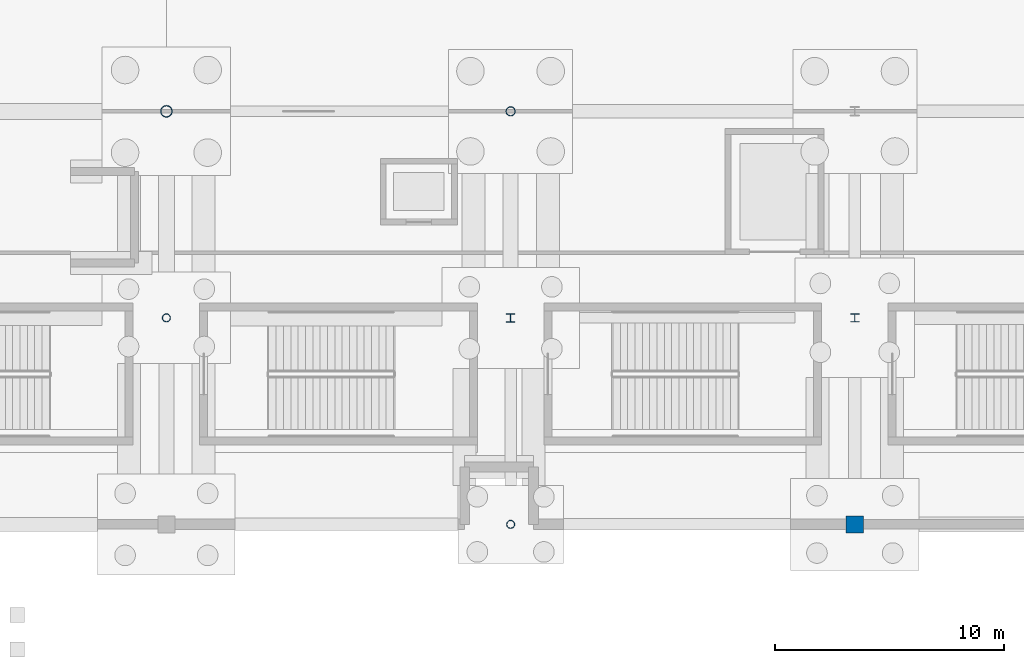
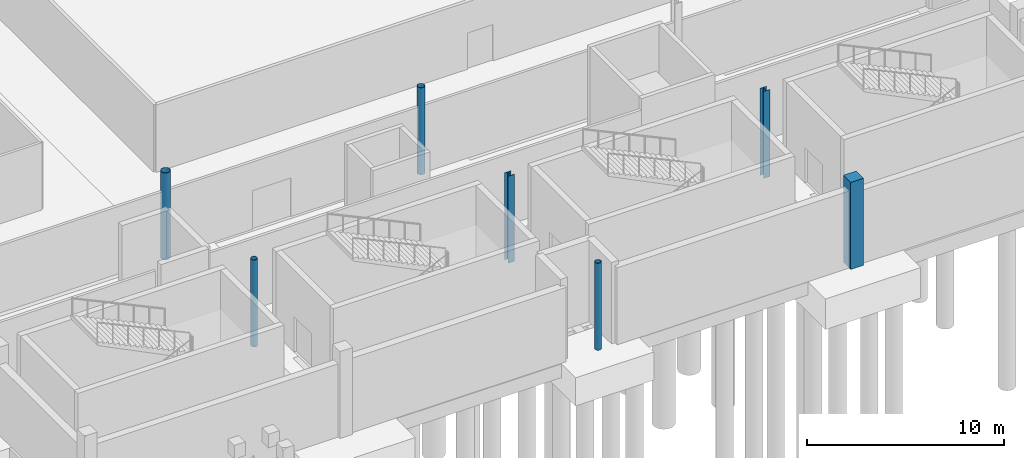
# One storey, part 16 of 58: 7 columns.
"""IFC4 building model written with IfcOpenShell, lengths in metres."""

from ifc_helpers import new_model, si_unit, direction, frame, origin, origin_2d, place, context, subcontext, project, spatial, rectangle, hollow_circle, i_section, extrude, material, material_profile, profile_set, type_object, element, save


model = new_model("IFC4")

# Units and contexts
model_context = context("Model", 3, precision=1e-05, world=origin(), true_north=direction((0.0, 1.0)))
body_context = subcontext(model_context, "Body", "Model", "MODEL_VIEW")
ifc_project = project(units=[si_unit("LENGTHUNIT", "METRE"), si_unit("AREAUNIT", "SQUARE_METRE"), si_unit("VOLUMEUNIT", "CUBIC_METRE"), si_unit("PLANEANGLEUNIT", "RADIAN"), si_unit("MASSUNIT", "GRAM", prefix="KILO")], contexts=[model_context])

# Site, building, storey
site_placement = place(None, origin())
site = spatial("IfcSite", under=ifc_project, at=site_placement, CompositionType="ELEMENT")
building_placement = place(site_placement, origin())
building = spatial("IfcBuilding", under=site, at=building_placement, Name="Qamarlyn Nura Convention Centre", CompositionType="ELEMENT")
storey_placement = place(building_placement, frame((0.0, 0.0, -5.39990234375)))
storey = spatial("IfcBuildingStorey", under=building, at=storey_placement, Name="B01", CompositionType="ELEMENT", Elevation=-5.39990234375)

# Columns
ifc_material_1 = material(Name="Pearl-white PVDF steel ASTM A500 Grade C", Category="steel")
ifc_material_profile_1 = material_profile(ifc_material_1, hollow_circle(Radius=0.25390625, WallThickness=0.02001953125, at=origin_2d()), Name="CHS508X20")
ifc_profile_set_1 = profile_set([ifc_material_profile_1], Name="Pearl-white PVDF steel ASTM A500 Grade C")
column_type_1 = type_object("IfcColumnType", Name="COL-HALL-1", PredefinedType="COLUMN", material=ifc_profile_set_1)
column_1_placement = place(storey_placement, frame((75.0, 18.0, 0.0), z_axis=(0.0, 0.0, 1.0), x_axis=(1.0, 0.0, 0.0)))
element("IfcColumn", 1, at=column_1_placement, inside=storey, type_object=column_type_1, Name="B01 column 6/C", PredefinedType="COLUMN", context=body_context, shape_type="SweptSolid", body=[
    extrude(hollow_circle(Radius=0.25390625, WallThickness=0.02001953125, at=origin_2d()), origin(), (0.0, 0.0, 1.0), 5.39990234375),
])
ifc_material_2 = material(Name="Concrete C50/60", Category="concrete")
ifc_material_profile_2 = material_profile(ifc_material_2, rectangle(XDim=0.75, YDim=0.75, at=origin_2d()), Name="RC 750x750")
ifc_profile_set_2 = profile_set([ifc_material_profile_2], Name="Concrete C50/60")
column_type_2 = type_object("IfcColumnType", Name="COL-SUB-2", PredefinedType="COLUMN", material=ifc_profile_set_2)
column_2_placement = place(storey_placement, frame((105.0, 0.0, 0.0), z_axis=(0.0, 0.0, 1.0), x_axis=(1.0, 0.0, 0.0)))
element("IfcColumn", 2, at=column_2_placement, inside=storey, type_object=column_type_2, Name="B01 column 8/A", PredefinedType="COLUMN", context=body_context, shape_type="SweptSolid", body=[
    extrude(rectangle(XDim=0.75, YDim=0.75, at=origin_2d()), origin(), (0.0, 0.0, 1.0), 5.39990234375),
])
ifc_material_profile_3 = material_profile(ifc_material_1, hollow_circle(Radius=0.203125, WallThickness=0.01611328125, at=origin_2d()), Name="CHS406.4X16")
ifc_profile_set_3 = profile_set([ifc_material_profile_3], Name="Pearl-white PVDF steel ASTM A500 Grade C")
column_type_3 = type_object("IfcColumnType", Name="COL-TUBE-1", PredefinedType="COLUMN", material=ifc_profile_set_3)
column_3_placement = place(storey_placement, frame((90.0, 18.0, 0.0), z_axis=(0.0, 0.0, 1.0), x_axis=(1.0, 0.0, 0.0)))
element("IfcColumn", 3, at=column_3_placement, inside=storey, type_object=column_type_3, Name="B01 column 7/C", PredefinedType="COLUMN", context=body_context, shape_type="SweptSolid", body=[
    extrude(hollow_circle(Radius=0.203125, WallThickness=0.01611328125, at=origin_2d()), origin(), (0.0, 0.0, 1.0), 5.39990234375),
])
ifc_material_profile_4 = material_profile(ifc_material_1, hollow_circle(Radius=0.177734375, WallThickness=0.01611328125, at=origin_2d()), Name="CHS355.6X16")
ifc_profile_set_4 = profile_set([ifc_material_profile_4], Name="Pearl-white PVDF steel ASTM A500 Grade C")
column_type_4 = type_object("IfcColumnType", Name="COL-TUBE-2", PredefinedType="COLUMN", material=ifc_profile_set_4)
for number, where, z_axis, x_axis, name in (
    (4, (75.0, 9.0, 0.0), (0.0, 0.0, 1.0), (1.0, 0.0, 0.0), "B01 column 6/B"),
    (5, (90.0, 0.0, 0.0), (0.0, 0.0, 1.0), (1.0, 0.0, 0.0), "B01 column 7/A"),
):
    element("IfcColumn", number, at=place(storey_placement, frame(where, z_axis=z_axis, x_axis=x_axis)), inside=storey, type_object=column_type_4, Name=name, PredefinedType="COLUMN", context=body_context, shape_type="SweptSolid", body=[
        extrude(hollow_circle(Radius=0.177734375, WallThickness=0.01611328125, at=origin_2d()), origin(), (0.0, 0.0, 1.0), 5.39990234375),
    ])
ifc_material_3 = material(Name="Steel ASTM A992", Category="steel")
ifc_material_profile_5 = material_profile(ifc_material_3, i_section(OverallWidth=0.3740234375, OverallDepth=0.3720703125, WebThickness=0.016357421875, FlangeThickness=0.026123046875, FilletRadius=0.01611328125, at=origin_2d()), Name="W360X196")
ifc_profile_set_5 = profile_set([ifc_material_profile_5], Name="Steel ASTM A992")
column_type_5 = type_object("IfcColumnType", Name="COL-WING-2", PredefinedType="COLUMN", material=ifc_profile_set_5)
column_4_placement = place(storey_placement, frame((90.0, 9.0, 0.0), z_axis=(0.0, 0.0, 1.0), x_axis=(1.0, 0.0, 0.0)))
element("IfcColumn", 6, at=column_4_placement, inside=storey, type_object=column_type_5, Name="B01 column 7/B", PredefinedType="COLUMN", context=body_context, shape_type="SweptSolid", body=[
    extrude(i_section(OverallWidth=0.3740234375, OverallDepth=0.3720703125, WebThickness=0.016357421875, FlangeThickness=0.026123046875, FilletRadius=0.01611328125, at=origin_2d()), origin(), (0.0, 0.0, 1.0), 5.39990234375),
])
ifc_material_profile_6 = material_profile(ifc_material_3, i_section(OverallWidth=0.368896484375, OverallDepth=0.35595703125, WebThickness=0.01123046875, FlangeThickness=0.01806640625, FilletRadius=0.014892578125, at=origin_2d()), Name="W360X134")
ifc_profile_set_6 = profile_set([ifc_material_profile_6], Name="Steel ASTM A992")
column_type_6 = type_object("IfcColumnType", Name="COL-WING-3", PredefinedType="COLUMN", material=ifc_profile_set_6)
column_5_placement = place(storey_placement, frame((105.0, 9.0, 0.0), z_axis=(0.0, 0.0, 1.0), x_axis=(1.0, 0.0, 0.0)))
element("IfcColumn", 7, at=column_5_placement, inside=storey, type_object=column_type_6, Name="B01 column 8/B", PredefinedType="COLUMN", context=body_context, shape_type="SweptSolid", body=[
    extrude(i_section(OverallWidth=0.368896484375, OverallDepth=0.35595703125, WebThickness=0.01123046875, FlangeThickness=0.01806640625, FilletRadius=0.014892578125, at=origin_2d()), origin(), (0.0, 0.0, 1.0), 5.39990234375),
])

save(model, "model.ifc")
